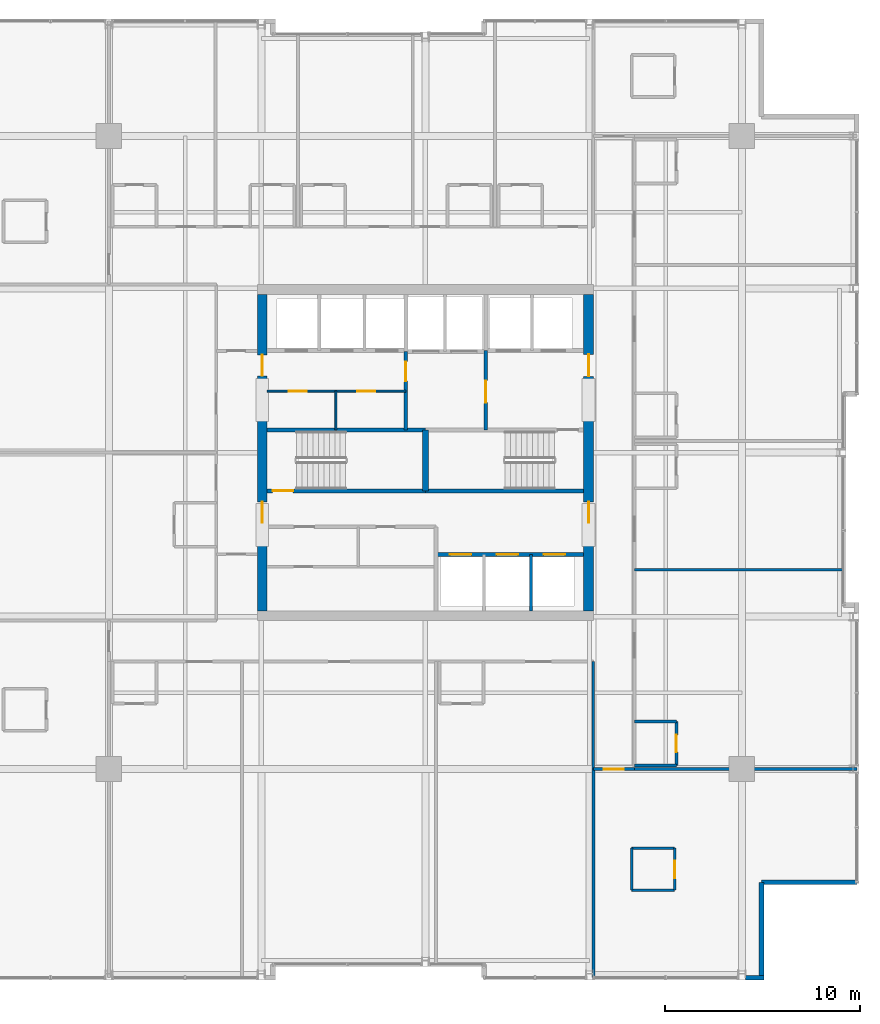
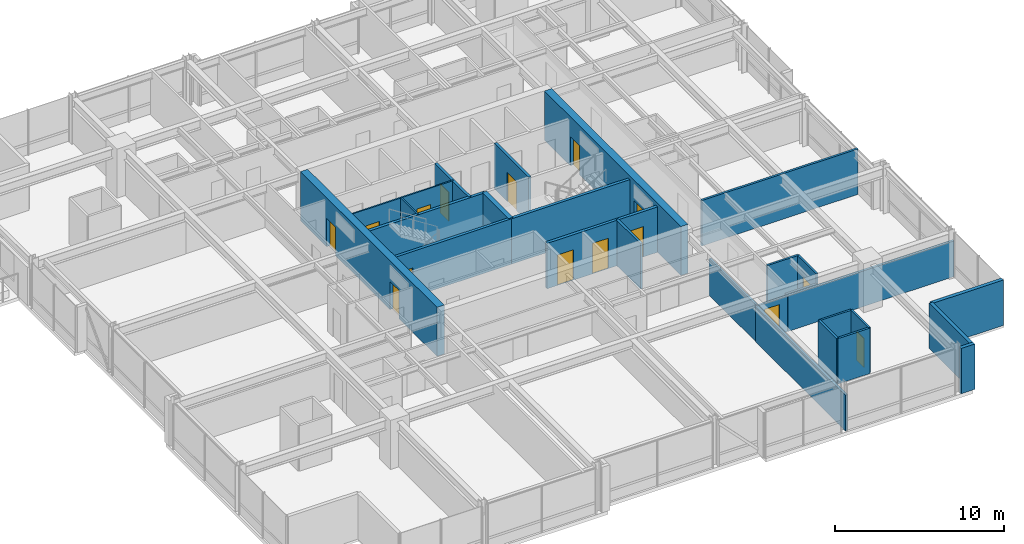
# One storey, part 26 of 32: 27 walls, 15 doors, 15 openings.
"""IFC4 building model written with IfcOpenShell, lengths in metres."""

import ifcopenshell
import ifcopenshell.guid

model = None  # the IFC model being written
_history = None  # IfcOwnerHistory: only IFC2X3 demands one
_inside = {}  # id of a spatial element -> (the spatial element, [elements in it])
_under = {}  # id of a project, library or spatial element -> (it, [spatial elements below it])
_declared = {}  # id of a project -> (the project, [libraries it declares])
_typed = {}  # id of a type object -> (the type object, [elements of that type])
_made_of = {}  # id of a material, layer set ... -> (it, [elements and type objects made of it])


def new_model(schema):
    """Start an empty IFC model of exactly this schema.

    Asked for "IFC4X3", IfcOpenShell would pick the latest addendum, in which some entities
    have other attributes; the version numbers below select the first issue.
    IFC2X3 requires an IfcOwnerHistory on every rooted entity: one is made here for all.
    """
    global model, _history
    if schema == "IFC4X3":
        model = ifcopenshell.file(schema_version=(4, 3, 0, 0))
    else:
        model = ifcopenshell.file(schema=schema)
    _inside.clear()
    _under.clear()
    _declared.clear()
    _typed.clear()
    _made_of.clear()
    _history = None
    if model.schema == "IFC2X3":
        org = make("IfcOrganization", Name="unknown")
        user = make(
            "IfcPersonAndOrganization",
            ThePerson=make("IfcPerson", FamilyName="unknown"),
            TheOrganization=org,
        )
        app = make(
            "IfcApplication",
            ApplicationDeveloper=org,
            Version="unknown",
            ApplicationFullName="unknown",
            ApplicationIdentifier="unknown",
        )
        _history = make(
            "IfcOwnerHistory",
            OwningUser=user,
            OwningApplication=app,
            ChangeAction="ADDED",
            CreationDate=0,
        )
    return model


def make(cls, **values):
    """One entity of the class cls with the attributes given. An attribute that is None is left unset."""
    return model.create_entity(
        cls, **{name: value for name, value in values.items() if value is not None}
    )


def rooted(cls, **values):
    """An entity with a GlobalId (a new one), such as an element, a storey or a relation."""
    return make(cls, GlobalId=ifcopenshell.guid.new(), OwnerHistory=_history, **values)


def si_unit(unit_type, name, prefix=None):
    """IfcSIUnit, for example si_unit("LENGTHUNIT", "METRE", prefix="MILLI")."""
    return make("IfcSIUnit", UnitType=unit_type, Prefix=prefix, Name=name)


def assignment(units):
    """IfcUnitAssignment: the units of a project."""
    return None if units is None else make("IfcUnitAssignment", Units=units)


def point(xyz):
    """IfcCartesianPoint."""
    return None if xyz is None else make("IfcCartesianPoint", Coordinates=xyz)


def direction(xyz):
    """IfcDirection."""
    return None if xyz is None else make("IfcDirection", DirectionRatios=xyz)


def frame(location, z_axis=None, x_axis=None):
    """IfcAxis2Placement3D, a coordinate frame: its origin and axes. An axis left out is left unset."""
    return make(
        "IfcAxis2Placement3D",
        Location=point(location),
        Axis=direction(z_axis),
        RefDirection=direction(x_axis),
    )


def frame_2d(location, x_axis=None):
    """IfcAxis2Placement2D, a coordinate frame in the plane: its origin and x axis."""
    return make(
        "IfcAxis2Placement2D", Location=point(location), RefDirection=direction(x_axis)
    )


def origin():
    """The frame at (0, 0, 0) with its axes left unset."""
    return frame((0.0, 0.0, 0.0))


def place(relative_to, where):
    """IfcLocalPlacement: puts the frame where relative to a parent placement (None: the world)."""
    return make(
        "IfcLocalPlacement", PlacementRelTo=relative_to, RelativePlacement=where
    )


def context(
    kind, dimensions, precision=None, world=None, true_north=None, identifier=None
):
    """IfcGeometricRepresentationContext, for example the 3D "Model" context."""
    return make(
        "IfcGeometricRepresentationContext",
        ContextIdentifier=identifier,
        ContextType=kind,
        CoordinateSpaceDimension=dimensions,
        Precision=precision,
        WorldCoordinateSystem=world,
        TrueNorth=true_north,
    )


def subcontext(parent, identifier, kind, view, scale=None):
    """IfcGeometricRepresentationSubContext, for example "Body" below "Model"."""
    return make(
        "IfcGeometricRepresentationSubContext",
        ContextIdentifier=identifier,
        ContextType=kind,
        ParentContext=parent,
        TargetScale=scale,
        TargetView=view,
    )


def project(units=None, contexts=None):
    """IfcProject with its units and contexts."""
    return rooted(
        "IfcProject",
        Name="project",
        RepresentationContexts=contexts,
        UnitsInContext=assignment(units),
    )


def spatial(cls, under=None, at=None, **own):
    """A site, building, storey or space (cls), placed at a placement, below another one or the project."""
    s = rooted(cls, ObjectPlacement=at, **own)
    if under is not None:
        _under.setdefault(under.id(), (under, []))[1].append(s)
    return s


def profile(cls, at=None, kind="AREA", **sizes):
    """A parametric profile (cls). Its sizes go by their IFC names, for example OverallWidth=200.0."""
    return make(cls, ProfileType=kind, Position=at, **sizes)


def rectangle(**sizes):
    """IfcRectangleProfileDef."""
    return profile("IfcRectangleProfileDef", **sizes)


def extrude(swept, where, along, depth):
    """IfcExtrudedAreaSolid: the profile swept, set in the frame where, extruded along a direction by depth."""
    return make(
        "IfcExtrudedAreaSolid",
        SweptArea=swept,
        Position=where,
        ExtrudedDirection=direction(along),
        Depth=depth,
    )


def shape(context_of_items, identifier, shape_type, items):
    """IfcShapeRepresentation: the items that make up one representation, for example the "Body"."""
    return make(
        "IfcShapeRepresentation",
        ContextOfItems=context_of_items,
        RepresentationIdentifier=identifier,
        RepresentationType=shape_type,
        Items=items,
    )


def material(Name=None, Category=None):
    """IfcMaterial."""
    return make("IfcMaterial", Name=Name, Category=Category)


def layer(
    of_material, thickness, ventilated=None, Name=None, Category=None, Priority=None
):
    """IfcMaterialLayer: one layer of a wall or slab, of a material (None: an air gap)."""
    return make(
        "IfcMaterialLayer",
        Material=of_material,
        LayerThickness=thickness,
        IsVentilated=ventilated,
        Name=Name,
        Category=Category,
        Priority=Priority,
    )


def layer_set(layers, Name=None):
    """IfcMaterialLayerSet."""
    return make("IfcMaterialLayerSet", MaterialLayers=layers, LayerSetName=Name)


def made_of(thing, what):
    """Note that an element or type object is made of a material, layer set ...; save() writes the relation."""
    if what is not None:
        _made_of.setdefault(what.id(), (what, []))[1].append(thing)
    return thing


def type_object(cls, material=None, **own):
    """A type object (cls), such as IfcWallType, which elements share."""
    return made_of(rooted(cls, **own), material)


def element(
    cls,
    number,
    at=None,
    inside=None,
    cuts=None,
    type_object=None,
    material=None,
    context=None,
    identifier="Body",
    shape_type=None,
    held_by="IfcProductDefinitionShape",
    body=None,
    shapes=None,
    **own,
):
    """One element of the class cls, such as IfcWall. Its Tag is "e" and its number.

    at: its placement. inside: the storey or other place that contains it. cuts: it is an
    opening in that element (IfcRelVoidsElement). A single representation is given by context,
    identifier, shape_type and body (its items); several are given by shapes. held_by: the class
    of the entity that holds the representations. save() writes the other relations.
    """
    e = rooted(cls, Tag="e%d" % number, ObjectPlacement=at, **own)
    if body is not None:
        shapes = [shape(context, identifier, shape_type, body)]
    if shapes is not None:
        e.Representation = make(held_by, Representations=shapes)
    if inside is not None:
        _inside.setdefault(inside.id(), (inside, []))[1].append(e)
    if cuts is not None:
        rooted(
            "IfcRelVoidsElement", RelatingBuildingElement=cuts, RelatedOpeningElement=e
        )
    if type_object is not None:
        _typed.setdefault(type_object.id(), (type_object, []))[1].append(e)
    return made_of(e, material)


def fill(opening, filler):
    """IfcRelFillsElement: the door or window that sits in an opening."""
    return rooted(
        "IfcRelFillsElement",
        RelatingOpeningElement=opening,
        RelatedBuildingElement=filler,
    )


def aggregate(whole, parts):
    """IfcRelAggregates: a whole, such as a stair, and the parts it consists of."""
    return rooted("IfcRelAggregates", RelatingObject=whole, RelatedObjects=parts)


def save(model, path):
    """Write the relations noted so far, then the file.

    IfcRelAggregates (storeys below a building ...), IfcRelContainedInSpatialStructure (elements
    in a storey), IfcRelDefinesByType, IfcRelAssociatesMaterial and IfcRelDeclares: one each for
    every whole, place, type object, material and project.
    """
    for whole, parts in _under.values():
        aggregate(whole, parts)
    for where, things in _inside.values():
        rooted(
            "IfcRelContainedInSpatialStructure",
            RelatedElements=things,
            RelatingStructure=where,
        )
    for kind, things in _typed.values():
        rooted("IfcRelDefinesByType", RelatedObjects=things, RelatingType=kind)
    for what, things in _made_of.values():
        rooted("IfcRelAssociatesMaterial", RelatedObjects=things, RelatingMaterial=what)
    for by, libraries in _declared.values():
        rooted("IfcRelDeclares", RelatingContext=by, RelatedDefinitions=libraries)
    model.write(path)


model = new_model("IFC4")

# Units and contexts
model_context = context("Model", 3, precision=1e-05, world=origin(), true_north=direction((0.0, 1.0)))
body_context = subcontext(model_context, "Body", "Model", "MODEL_VIEW")
ifc_project = project(units=[si_unit("LENGTHUNIT", "METRE"), si_unit("AREAUNIT", "SQUARE_METRE"), si_unit("VOLUMEUNIT", "CUBIC_METRE"), si_unit("PLANEANGLEUNIT", "RADIAN"), si_unit("MASSUNIT", "GRAM", prefix="KILO")], contexts=[model_context])

# Site, building, storey
site_placement = place(None, origin())
site = spatial("IfcSite", under=ifc_project, at=site_placement, CompositionType="ELEMENT")
building_placement = place(site_placement, origin())
building = spatial("IfcBuilding", under=site, at=building_placement, Name="Drelvath Grand Hotel", CompositionType="ELEMENT")
storey_placement = place(building_placement, frame((0.0, 0.0, 189.449951171875)))
storey = spatial("IfcBuildingStorey", under=building, at=storey_placement, Name="L49", CompositionType="ELEMENT", Elevation=189.449951171875)

# Wall, openings, doors
ifc_material_1 = material(Name="Gypsum Partition Board")
ifc_layer_1 = layer(ifc_material_1, 0.10009765625)
ifc_layer_set_1 = layer_set([ifc_layer_1], Name="Gypsum Partition Board")
wall_type_1 = type_object("IfcWallType", Name="Core Closet Partition 100", PredefinedType="PARTITIONING", material=ifc_layer_set_1)
wall_1_placement = place(storey_placement, frame((-8.10009765625, 30.139892578125, 0.0), z_axis=(0.0, 0.0, 1.0), x_axis=(1.0, 0.0, 0.0)))
wall_1 = element("IfcWall", 1, at=wall_1_placement, inside=storey, type_object=wall_type_1, Name="L49 High-Rise Lobby Closet Wall", PredefinedType="PARTITIONING", context=body_context, shape_type="SweptSolid", body=[
    extrude(rectangle(XDim=7.10009765625, YDim=0.10009765625, at=frame_2d((3.550048828125, 0.0))), origin(), (0.0, 0.0, 1.0), 3.2900390625),
])
opening_1_placement = place(wall_1_placement, frame((1.10009765625, 0.0, 0.0)))
opening_1 = element("IfcOpeningElement", 2, at=opening_1_placement, cuts=wall_1, Name="Opening D-T3G4-014", PredefinedType="OPENING", context=body_context, shape_type="SweptSolid", body=[
    extrude(rectangle(XDim=0.919921875, YDim=2.10009765625, at=frame_2d((0.4599609375, 1.050048828125))), frame((0.0, 0.06005859375, 0.0), z_axis=(0.0, -1.0, 0.0), x_axis=(1.0, 0.0, 0.0)), (0.0, 0.0, 1.0), 0.1201171875),
])
opening_2_placement = place(wall_1_placement, frame((4.60009765625, 0.0, 0.0)))
opening_2 = element("IfcOpeningElement", 3, at=opening_2_placement, cuts=wall_1, Name="Opening D-T3G4-015", PredefinedType="OPENING", context=body_context, shape_type="SweptSolid", body=[
    extrude(rectangle(XDim=0.919921875, YDim=2.10009765625, at=frame_2d((0.4599609375, 1.050048828125))), frame((0.0, 0.06005859375, 0.0), z_axis=(0.0, -1.0, 0.0), x_axis=(1.0, 0.0, 0.0)), (0.0, 0.0, 1.0), 0.1201171875),
])
ifc_material_2 = material(Name="Painted Steel S275", Category="steel")
door_type_1 = type_object("IfcDoorType", Name="Staff Utility Door 920x2100", OperationType="NOTDEFINED", PredefinedType="DOOR", material=ifc_material_2)
door_1_placement = place(opening_1_placement, origin())
door_1 = element("IfcDoor", 4, at=door_1_placement, inside=storey, type_object=door_type_1, Name="L49 Electrical Closet Door", OperationType="SINGLE_SWING_LEFT", OverallHeight=2.10009765625, OverallWidth=0.919921875, PredefinedType="DOOR", context=body_context, shape_type="SweptSolid", body=[
    extrude(rectangle(XDim=0.919921875, YDim=2.10009765625, at=frame_2d((0.4599609375, 1.050048828125))), frame((0.0, 0.02490234375, 0.0), z_axis=(0.0, -1.0, 0.0), x_axis=(1.0, 0.0, 0.0)), (0.0, 0.0, 1.0), 0.050048828125),
])
fill(opening_1, door_1)
door_2_placement = place(opening_2_placement, origin())
door_2 = element("IfcDoor", 5, at=door_2_placement, inside=storey, type_object=door_type_1, Name="L49 Telecom Room Door", OperationType="SINGLE_SWING_RIGHT", OverallHeight=2.10009765625, OverallWidth=0.919921875, PredefinedType="DOOR", context=body_context, shape_type="SweptSolid", body=[
    extrude(rectangle(XDim=0.919921875, YDim=2.10009765625, at=frame_2d((0.4599609375, 1.050048828125))), frame((0.0, 0.02490234375, 0.0), z_axis=(0.0, -1.0, 0.0), x_axis=(1.0, 0.0, 0.0)), (0.0, 0.0, 1.0), 0.050048828125),
])
fill(opening_2, door_2)

# Wall
wall_2_placement = place(storey_placement, frame((-4.580078125, 28.159912109375, 0.0), z_axis=(0.0, 0.0, 1.0), x_axis=(0.0, 1.0, 0.0)))
element("IfcWall", 6, at=wall_2_placement, inside=storey, type_object=wall_type_1, Name="L49 Core Closet Split 1", PredefinedType="PARTITIONING", context=body_context, shape_type="SweptSolid", body=[
    extrude(rectangle(XDim=1.97998046875, YDim=0.10009765625, at=frame_2d((0.989990234375, 0.0))), origin(), (0.0, 0.0, 1.0), 3.2900390625),
])

# Wall, openings, doors
ifc_material_3 = material(Name="Concrete C40/50", Category="concrete")
ifc_layer_2 = layer(ifc_material_3, 0.199951171875)
ifc_layer_set_2 = layer_set([ifc_layer_2], Name="Concrete C40/50")
wall_type_2 = type_object("IfcWallType", Name="Core Hoistway Fire Wall 200", PredefinedType="SOLIDWALL", material=ifc_layer_set_2)
wall_3_placement = place(storey_placement, frame((8.10009765625, 21.780029296875, 0.0), z_axis=(0.0, 0.0, 1.0), x_axis=(-1.0, 0.0, 0.0)))
wall_3 = element("IfcWall", 7, at=wall_3_placement, inside=storey, type_object=wall_type_2, Name="L49 Bank 2 Hoistway Wall", PredefinedType="SOLIDWALL", context=body_context, shape_type="SweptSolid", body=[
    extrude(rectangle(XDim=7.550048828125, YDim=0.199951171875, at=frame_2d((3.77490234375, 0.0))), origin(), (0.0, 0.0, 1.0), 3.2900390625),
])
opening_3_placement = place(wall_3_placement, frame((5.75, 0.0, 0.0)))
opening_3 = element("IfcOpeningElement", 8, at=opening_3_placement, cuts=wall_3, Name="Opening LD-PE-4", PredefinedType="OPENING", context=body_context, shape_type="SweptSolid", body=[
    extrude(rectangle(XDim=1.10009765625, YDim=2.199951171875, at=frame_2d((0.550048828125, 1.10009765625))), frame((0.0, 0.10986328125, 0.0), z_axis=(0.0, -1.0, 0.0), x_axis=(1.0, 0.0, 0.0)), (0.0, 0.0, 1.0), 0.219970703125),
])
opening_4_placement = place(wall_3_placement, frame((3.35009765625, 0.0, 0.0)))
opening_4 = element("IfcOpeningElement", 9, at=opening_4_placement, cuts=wall_3, Name="Opening LD-PE-5", PredefinedType="OPENING", context=body_context, shape_type="SweptSolid", body=[
    extrude(rectangle(XDim=1.10009765625, YDim=2.199951171875, at=frame_2d((0.550048828125, 1.10009765625))), frame((0.0, 0.10986328125, 0.0), z_axis=(0.0, -1.0, 0.0), x_axis=(1.0, 0.0, 0.0)), (0.0, 0.0, 1.0), 0.219970703125),
])
opening_5_placement = place(wall_3_placement, frame((0.949951171875, 0.0, 0.0)))
opening_5 = element("IfcOpeningElement", 10, at=opening_5_placement, cuts=wall_3, Name="Opening LD-PE-6", PredefinedType="OPENING", context=body_context, shape_type="SweptSolid", body=[
    extrude(rectangle(XDim=1.10009765625, YDim=2.199951171875, at=frame_2d((0.550048828125, 1.10009765625))), frame((0.0, 0.10986328125, 0.0), z_axis=(0.0, -1.0, 0.0), x_axis=(1.0, 0.0, 0.0)), (0.0, 0.0, 1.0), 0.219970703125),
])
ifc_material_4 = material(Name="Stainless Steel S355", Category="steel")
door_type_2 = type_object("IfcDoorType", Name="Passenger Lift Sliding Landing Door 1100x2200", OperationType="NOTDEFINED", PredefinedType="DOOR", material=ifc_material_4)
door_3_placement = place(opening_3_placement, origin())
door_3 = element("IfcDoor", 11, at=door_3_placement, inside=storey, type_object=door_type_2, Name="L49 Lift PE-4 Landing Door", OperationType="SLIDING_TO_LEFT", OverallHeight=2.199951171875, OverallWidth=1.10009765625, PredefinedType="DOOR", context=body_context, shape_type="SweptSolid", body=[
    extrude(rectangle(XDim=1.10009765625, YDim=2.199951171875, at=frame_2d((0.550048828125, 1.10009765625))), frame((0.0, 0.02490234375, 0.0), z_axis=(0.0, -1.0, 0.0), x_axis=(1.0, 0.0, 0.0)), (0.0, 0.0, 1.0), 0.050048828125),
])
fill(opening_3, door_3)
door_4_placement = place(opening_4_placement, origin())
door_4 = element("IfcDoor", 12, at=door_4_placement, inside=storey, type_object=door_type_2, Name="L49 Lift PE-5 Landing Door", OperationType="SLIDING_TO_LEFT", OverallHeight=2.199951171875, OverallWidth=1.10009765625, PredefinedType="DOOR", context=body_context, shape_type="SweptSolid", body=[
    extrude(rectangle(XDim=1.10009765625, YDim=2.199951171875, at=frame_2d((0.550048828125, 1.10009765625))), frame((0.0, 0.02490234375, 0.0), z_axis=(0.0, -1.0, 0.0), x_axis=(1.0, 0.0, 0.0)), (0.0, 0.0, 1.0), 0.050048828125),
])
fill(opening_4, door_4)
door_5_placement = place(opening_5_placement, origin())
door_5 = element("IfcDoor", 13, at=door_5_placement, inside=storey, type_object=door_type_2, Name="L49 Lift PE-6 Landing Door", OperationType="SLIDING_TO_LEFT", OverallHeight=2.199951171875, OverallWidth=1.10009765625, PredefinedType="DOOR", context=body_context, shape_type="SweptSolid", body=[
    extrude(rectangle(XDim=1.10009765625, YDim=2.199951171875, at=frame_2d((0.550048828125, 1.10009765625))), frame((0.0, 0.02490234375, 0.0), z_axis=(0.0, -1.0, 0.0), x_axis=(1.0, 0.0, 0.0)), (0.0, 0.0, 1.0), 0.050048828125),
])
fill(opening_5, door_5)

# Wall, opening, door
ifc_layer_3 = layer(ifc_material_3, 0.199951171875)
ifc_layer_set_3 = layer_set([ifc_layer_3], Name="Concrete C40/50")
wall_type_3 = type_object("IfcWallType", Name="Core Shaft Fire Wall 200", PredefinedType="SOLIDWALL", material=ifc_layer_set_3)
wall_4_placement = place(storey_placement, frame((-8.10009765625, 25.0400390625, 0.0), z_axis=(0.0, 0.0, 1.0), x_axis=(1.0, 0.0, 0.0)))
wall_4 = element("IfcWall", 14, at=wall_4_placement, inside=storey, type_object=wall_type_3, Name="L49 Stair ST-1 South Wall", PredefinedType="SOLIDWALL", context=body_context, shape_type="SweptSolid", body=[
    extrude(rectangle(XDim=8.10009765625, YDim=0.199951171875, at=frame_2d((4.050048828125, 0.0))), origin(), (0.0, 0.0, 1.0), 3.2900390625),
])
opening_6_placement = place(wall_4_placement, frame((0.280029296875, 0.0, 0.0)))
opening_6 = element("IfcOpeningElement", 15, at=opening_6_placement, cuts=wall_4, Name="Opening D-T3G4-001", PredefinedType="OPENING", context=body_context, shape_type="SweptSolid", body=[
    extrude(rectangle(XDim=1.050048828125, YDim=2.10009765625, at=frame_2d((0.52490234375, 1.050048828125))), frame((0.0, 0.10986328125, 0.0), z_axis=(0.0, -1.0, 0.0), x_axis=(1.0, 0.0, 0.0)), (0.0, 0.0, 1.0), 0.219970703125),
])
door_type_3 = type_object("IfcDoorType", Name="Tower Stairwell Fire Door 1050x2100", OperationType="NOTDEFINED", PredefinedType="DOOR", material=ifc_material_2)
door_6_placement = place(opening_6_placement, origin())
door_6 = element("IfcDoor", 16, at=door_6_placement, inside=storey, type_object=door_type_3, Name="L49 Exit Stair ST-1 Door", OperationType="SINGLE_SWING_LEFT", OverallHeight=2.10009765625, OverallWidth=1.050048828125, PredefinedType="DOOR", context=body_context, shape_type="SweptSolid", body=[
    extrude(rectangle(XDim=1.050048828125, YDim=2.10009765625, at=frame_2d((0.52490234375, 1.050048828125))), frame((0.0, 0.02490234375, 0.0), z_axis=(0.0, -1.0, 0.0), x_axis=(1.0, 0.0, 0.0)), (0.0, 0.0, 1.0), 0.050048828125),
])
fill(opening_6, door_6)

# Walls
for number, where, z_axis, x_axis, name in (
    (17, (-8.10009765625, 28.159912109375, 0.0), (0.0, 0.0, 1.0), (1.0, 0.0, 0.0), "L49 Stair ST-1 North Wall"),
    (18, (0.0, 25.0400390625, 0.0), (0.0, 0.0, 1.0), (1.0, 0.0, 0.0), "L49 Stair ST-2 South Wall"),
):
    element("IfcWall", number, at=place(storey_placement, frame(where, z_axis=z_axis, x_axis=x_axis)), inside=storey, type_object=wall_type_3, Name=name, PredefinedType="SOLIDWALL", context=body_context, shape_type="SweptSolid", body=[
        extrude(rectangle(XDim=8.10009765625, YDim=0.199951171875, at=frame_2d((4.050048828125, 0.0))), origin(), (0.0, 0.0, 1.0), 3.2900390625),
    ])
ifc_layer_4 = layer(ifc_material_3, 0.300048828125)
ifc_layer_set_4 = layer_set([ifc_layer_4], Name="Concrete C40/50")
wall_type_4 = type_object("IfcWallType", Name="Core Shaft Fire Wall 300", PredefinedType="SOLIDWALL", material=ifc_layer_set_4)
wall_5_placement = place(storey_placement, frame((0.0, 25.0400390625, 0.0), z_axis=(0.0, 0.0, 1.0), x_axis=(0.0, 1.0, 0.0)))
element("IfcWall", 19, at=wall_5_placement, inside=storey, type_object=wall_type_4, Name="L49 Core Stair Divider Wall", PredefinedType="SOLIDWALL", context=body_context, shape_type="SweptSolid", body=[
    extrude(rectangle(XDim=3.119873046875, YDim=0.300048828125, at=frame_2d((1.56005859375, 0.0))), origin(), (0.0, 0.0, 1.0), 3.2900390625),
])
ifc_material_5 = material(Name="Gypsum Fireboard Partition")
ifc_layer_5 = layer(ifc_material_5, 0.1650390625)
ifc_layer_set_5 = layer_set([ifc_layer_5], Name="Gypsum Fireboard Partition")
wall_type_5 = type_object("IfcWallType", Name="Core Shaft Partition 165", PredefinedType="PARTITIONING", material=ifc_layer_set_5)
wall_6_placement = place(storey_placement, frame((5.39990234375, 18.89990234375, 0.0), z_axis=(0.0, 0.0, 1.0), x_axis=(0.0, 1.0, 0.0)))
element("IfcWall", 20, at=wall_6_placement, inside=storey, type_object=wall_type_5, Name="L49 Lift PE-5/6 Divider", PredefinedType="PARTITIONING", context=body_context, shape_type="SweptSolid", body=[
    extrude(rectangle(XDim=2.880126953125, YDim=0.1650390625, at=frame_2d((1.43994140625, 0.0))), origin(), (0.0, 0.0, 1.0), 3.2900390625),
])
ifc_layer_6 = layer(ifc_material_5, 0.135009765625)
ifc_layer_set_6 = layer_set([ifc_layer_6], Name="Gypsum Fireboard Partition")
wall_type_6 = type_object("IfcWallType", Name="Corridor Fire Barrier Wall 135", PredefinedType="PARTITIONING", material=ifc_layer_set_6)
wall_7_placement = place(storey_placement, frame((8.60009765625, 10.800048828125, 0.0), z_axis=(0.0, 0.0, 1.0), x_axis=(0.0, 1.0, 0.0)))
element("IfcWall", 21, at=wall_7_placement, inside=storey, type_object=wall_type_6, Name="L49 East Spine South Inner Wall", PredefinedType="PARTITIONING", context=body_context, shape_type="SweptSolid", body=[
    extrude(rectangle(XDim=5.5, YDim=0.135009765625, at=frame_2d((2.75, 0.0))), origin(), (0.0, 0.0, 1.0), 2.66748046875),
])

# Wall, opening, door
wall_8_placement = place(storey_placement, frame((8.60009765625, 10.800048828125, 0.0), z_axis=(0.0, 0.0, 1.0), x_axis=(1.0, 0.0, 0.0)))
wall_8 = element("IfcWall", 22, at=wall_8_placement, inside=storey, type_object=wall_type_6, Name="L49 East Spine South End", PredefinedType="PARTITIONING", context=body_context, shape_type="SweptSolid", body=[
    extrude(rectangle(XDim=2.099853515625, YDim=0.135009765625, at=frame_2d((1.0498046875, 0.0))), origin(), (0.0, 0.0, 1.0), 2.57958984375),
])
opening_7_placement = place(wall_8_placement, frame((0.52001953125, 0.0, 0.0)))
opening_7 = element("IfcOpeningElement", 23, at=opening_7_placement, cuts=wall_8, Name="Opening D-T3G4-031", PredefinedType="OPENING", context=body_context, shape_type="SweptSolid", body=[
    extrude(rectangle(XDim=1.02001953125, YDim=2.14990234375, at=frame_2d((0.510009765625, 1.074951171875))), frame((0.0, 0.077392578125, 0.0), z_axis=(0.0, -1.0, 0.0), x_axis=(1.0, 0.0, 0.0)), (0.0, 0.0, 1.0), 0.155029296875),
])
ifc_material_6 = material(Name="Hardwood Walnut Timber", Category="wood")
door_type_4 = type_object("IfcDoorType", Name="Amenity Meeting Fire Door 1020x2150", OperationType="NOTDEFINED", PredefinedType="DOOR", material=ifc_material_6)
door_7_placement = place(opening_7_placement, origin())
door_7 = element("IfcDoor", 24, at=door_7_placement, inside=storey, type_object=door_type_4, Name="L49 Executive Suite Entry Door", OperationType="SINGLE_SWING_LEFT", OverallHeight=2.14990234375, OverallWidth=1.02001953125, PredefinedType="DOOR", context=body_context, shape_type="SweptSolid", body=[
    extrude(rectangle(XDim=1.02001953125, YDim=2.14990234375, at=frame_2d((0.510009765625, 1.074951171875))), frame((0.0, 0.02490234375, 0.0), z_axis=(0.0, -1.0, 0.0), x_axis=(1.0, 0.0, 0.0)), (0.0, 0.0, 1.0), 0.050048828125),
])
fill(opening_7, door_7)

# Walls
ifc_material_7 = material(Name="Moisture-Resistant Gypsum Board")
ifc_layer_7 = layer(ifc_material_7, 0.139892578125)
ifc_layer_set_7 = layer_set([ifc_layer_7], Name="Moisture-Resistant Gypsum Board")
wall_type_7 = type_object("IfcWallType", Name="En-Suite Plumbing Wall 140", PredefinedType="PLUMBINGWALL", material=ifc_layer_set_7)
for number, where, z_axis, x_axis, name in (
    (25, (10.56005859375, 4.60009765625, 0.0), (0.0, 0.0, 1.0), (1.0, 0.0, 0.0), "L49 Corner En-Suite South"),
    (26, (10.56005859375, 6.75, 0.0), (0.0, 0.0, 1.0), (1.0, 0.0, 0.0), "L49 Corner En-Suite North"),
):
    element("IfcWall", number, at=place(storey_placement, frame(where, z_axis=z_axis, x_axis=x_axis)), inside=storey, type_object=wall_type_7, Name=name, PredefinedType="PLUMBINGWALL", context=body_context, shape_type="SweptSolid", body=[
        extrude(rectangle(XDim=2.199951171875, YDim=0.139892578125, at=frame_2d((1.10009765625, 0.0))), origin(), (0.0, 0.0, 1.0), 3.2900390625),
    ])
wall_9_placement = place(storey_placement, frame((10.56005859375, 4.60009765625, 0.0), z_axis=(0.0, 0.0, 1.0), x_axis=(0.0, 1.0, 0.0)))
element("IfcWall", 27, at=wall_9_placement, inside=storey, type_object=wall_type_7, Name="L49 Corner En-Suite West", PredefinedType="PLUMBINGWALL", context=body_context, shape_type="SweptSolid", body=[
    extrude(rectangle(XDim=2.14990234375, YDim=0.139892578125, at=frame_2d((1.074951171875, 0.0))), origin(), (0.0, 0.0, 1.0), 3.2900390625),
])

# Wall, opening, door
wall_10_placement = place(storey_placement, frame((12.760009765625, 4.60009765625, 0.0), z_axis=(0.0, 0.0, 1.0), x_axis=(0.0, 1.0, 0.0)))
wall_10 = element("IfcWall", 28, at=wall_10_placement, inside=storey, type_object=wall_type_7, Name="L49 Corner En-Suite East", PredefinedType="PLUMBINGWALL", context=body_context, shape_type="SweptSolid", body=[
    extrude(rectangle(XDim=2.14990234375, YDim=0.139892578125, at=frame_2d((1.074951171875, 0.0))), origin(), (0.0, 0.0, 1.0), 3.2900390625),
])
opening_8_placement = place(wall_10_placement, frame((0.6201171875, 0.0, 0.0)))
opening_8 = element("IfcOpeningElement", 29, at=opening_8_placement, cuts=wall_10, Name="Opening D-T3G4-030", PredefinedType="OPENING", context=body_context, shape_type="SweptSolid", body=[
    extrude(rectangle(XDim=0.8798828125, YDim=2.10009765625, at=frame_2d((0.43994140625, 1.050048828125))), frame((0.0, 0.079833984375, 0.0), z_axis=(0.0, -1.0, 0.0), x_axis=(1.0, 0.0, 0.0)), (0.0, 0.0, 1.0), 0.159912109375),
])
door_type_5 = type_object("IfcDoorType", Name="En-Suite Bathroom Door 880x2100", OperationType="NOTDEFINED", PredefinedType="DOOR", material=ifc_material_6)
door_8_placement = place(opening_8_placement, origin())
door_8 = element("IfcDoor", 30, at=door_8_placement, inside=storey, type_object=door_type_5, Name="L49 Corner En-Suite Door", OperationType="SINGLE_SWING_RIGHT", OverallHeight=2.10009765625, OverallWidth=0.8798828125, PredefinedType="DOOR", context=body_context, shape_type="SweptSolid", body=[
    extrude(rectangle(XDim=0.8798828125, YDim=2.10009765625, at=frame_2d((0.43994140625, 1.050048828125))), frame((0.0, 0.02490234375, 0.0), z_axis=(0.0, -1.0, 0.0), x_axis=(1.0, 0.0, 0.0)), (0.0, 0.0, 1.0), 0.050048828125),
])
fill(opening_8, door_8)

# Walls
wall_11_placement = place(storey_placement, frame((10.699951171875, 10.97998046875, 0.0), z_axis=(0.0, 0.0, 1.0), x_axis=(1.0, 0.0, 0.0)))
element("IfcWall", 31, at=wall_11_placement, inside=storey, type_object=wall_type_7, Name="L49 En-Suite Left Wall", PredefinedType="PLUMBINGWALL", context=body_context, shape_type="SweptSolid", body=[
    extrude(rectangle(XDim=2.150146484375, YDim=0.139892578125, at=frame_2d((1.0751953125, 0.0))), origin(), (0.0, 0.0, 1.0), 2.57958984375),
])
wall_12_placement = place(storey_placement, frame((10.699951171875, 13.22998046875, 0.0), z_axis=(0.0, 0.0, 1.0), x_axis=(1.0, 0.0, 0.0)))
element("IfcWall", 32, at=wall_12_placement, inside=storey, type_object=wall_type_7, Name="L49 En-Suite Right Wall", PredefinedType="PLUMBINGWALL", context=body_context, shape_type="SweptSolid", body=[
    extrude(rectangle(XDim=2.150146484375, YDim=0.139892578125, at=frame_2d((1.0751953125, 0.0))), origin(), (0.0, 0.0, 1.0), 3.2900390625),
])

# Wall, opening, door
wall_13_placement = place(storey_placement, frame((12.85009765625, 10.97998046875, 0.0), z_axis=(0.0, 0.0, 1.0), x_axis=(0.0, 1.0, 0.0)))
wall_13 = element("IfcWall", 33, at=wall_13_placement, inside=storey, type_object=wall_type_7, Name="L49 En-Suite Front Wall", PredefinedType="PLUMBINGWALL", context=body_context, shape_type="SweptSolid", body=[
    extrude(rectangle(XDim=2.25, YDim=0.139892578125, at=frame_2d((1.125, 0.0))), origin(), (0.0, 0.0, 1.0), 3.2900390625),
])
opening_9_placement = place(wall_13_placement, frame((0.68505859375, 0.0, 0.0)))
opening_9 = element("IfcOpeningElement", 34, at=opening_9_placement, cuts=wall_13, Name="Opening D-T3G4-049", PredefinedType="OPENING", context=body_context, shape_type="SweptSolid", body=[
    extrude(rectangle(XDim=0.8798828125, YDim=2.10009765625, at=frame_2d((0.43994140625, 1.050048828125))), frame((0.0, 0.079833984375, 0.0), z_axis=(0.0, -1.0, 0.0), x_axis=(1.0, 0.0, 0.0)), (0.0, 0.0, 1.0), 0.159912109375),
])
door_9_placement = place(opening_9_placement, origin())
door_9 = element("IfcDoor", 35, at=door_9_placement, inside=storey, type_object=door_type_5, Name="L49 En-Suite Bathroom Door", OperationType="SINGLE_SWING_LEFT", OverallHeight=2.10009765625, OverallWidth=0.8798828125, PredefinedType="DOOR", context=body_context, shape_type="SweptSolid", body=[
    extrude(rectangle(XDim=0.8798828125, YDim=2.10009765625, at=frame_2d((0.43994140625, 1.050048828125))), frame((0.0, 0.02490234375, 0.0), z_axis=(0.0, -1.0, 0.0), x_axis=(1.0, 0.0, 0.0)), (0.0, 0.0, 1.0), 0.050048828125),
])
fill(opening_9, door_9)

ifc_layer_8 = layer(ifc_material_5, 0.179931640625)
ifc_layer_set_8 = layer_set([ifc_layer_8], Name="Gypsum Fireboard Partition")
wall_type_8 = type_object("IfcWallType", Name="FSAE Smoke Lobby Fire Wall 180", PredefinedType="SOLIDWALL", material=ifc_layer_set_8)
wall_14_placement = place(storey_placement, frame((3.10009765625, 28.159912109375, 0.0), z_axis=(0.0, 0.0, 1.0), x_axis=(0.0, 1.0, 0.0)))
wall_14 = element("IfcWall", 36, at=wall_14_placement, inside=storey, type_object=wall_type_8, Name="L49 FSAE Smoke Lobby West Wall", PredefinedType="SOLIDWALL", context=body_context, shape_type="SweptSolid", body=[
    extrude(rectangle(XDim=4.06005859375, YDim=0.179931640625, at=frame_2d((2.030029296875, 0.0))), origin(), (0.0, 0.0, 1.0), 3.2900390625),
])
opening_10_placement = place(wall_14_placement, frame((1.39990234375, 0.0, 0.0)))
opening_10 = element("IfcOpeningElement", 37, at=opening_10_placement, cuts=wall_14, Name="Opening D-T3G4-005", PredefinedType="OPENING", context=body_context, shape_type="SweptSolid", body=[
    extrude(rectangle(XDim=1.1201171875, YDim=2.10009765625, at=frame_2d((0.56005859375, 1.050048828125))), frame((0.0, 0.099853515625, 0.0), z_axis=(0.0, -1.0, 0.0), x_axis=(1.0, 0.0, 0.0)), (0.0, 0.0, 1.0), 0.199951171875),
])
door_type_6 = type_object("IfcDoorType", Name="FSAE Smoke Lobby Fire Door 1120x2100", OperationType="NOTDEFINED", PredefinedType="DOOR", material=ifc_material_2)
door_10_placement = place(opening_10_placement, origin())
door_10 = element("IfcDoor", 38, at=door_10_placement, inside=storey, type_object=door_type_6, Name="L49 FSAE Lobby Service Vestibule Door", OperationType="SINGLE_SWING_RIGHT", OverallHeight=2.10009765625, OverallWidth=1.1201171875, PredefinedType="DOOR", context=body_context, shape_type="SweptSolid", body=[
    extrude(rectangle(XDim=1.1201171875, YDim=2.10009765625, at=frame_2d((0.56005859375, 1.050048828125))), frame((0.0, 0.02490234375, 0.0), z_axis=(0.0, -1.0, 0.0), x_axis=(1.0, 0.0, 0.0)), (0.0, 0.0, 1.0), 0.050048828125),
])
fill(opening_10, door_10)

wall_15_placement = place(storey_placement, frame((-1.0, 28.159912109375, 0.0), z_axis=(0.0, 0.0, 1.0), x_axis=(0.0, 1.0, 0.0)))
wall_15 = element("IfcWall", 39, at=wall_15_placement, inside=storey, type_object=wall_type_8, Name="L49 Service Vestibule West Wall", PredefinedType="SOLIDWALL", context=body_context, shape_type="SweptSolid", body=[
    extrude(rectangle(XDim=4.02001953125, YDim=0.179931640625, at=frame_2d((2.010009765625, 0.0))), origin(), (0.0, 0.0, 1.0), 3.2900390625),
])
opening_11_placement = place(wall_15_placement, frame((2.489990234375, 0.0, 0.0)))
opening_11 = element("IfcOpeningElement", 40, at=opening_11_placement, cuts=wall_15, Name="Opening D-T3G4-009", PredefinedType="OPENING", context=body_context, shape_type="SweptSolid", body=[
    extrude(rectangle(XDim=1.0, YDim=2.10009765625, at=frame_2d((0.5, 1.050048828125))), frame((0.0, 0.099853515625, 0.0), z_axis=(0.0, -1.0, 0.0), x_axis=(1.0, 0.0, 0.0)), (0.0, 0.0, 1.0), 0.199951171875),
])
door_type_7 = type_object("IfcDoorType", Name="Core Service Fire Door 1000x2100", OperationType="NOTDEFINED", PredefinedType="DOOR", material=ifc_material_2)
door_11_placement = place(opening_11_placement, origin())
door_11 = element("IfcDoor", 41, at=door_11_placement, inside=storey, type_object=door_type_7, Name="L49 Service Vestibule West Door", OperationType="SINGLE_SWING_LEFT", OverallHeight=2.10009765625, OverallWidth=1.0, PredefinedType="DOOR", context=body_context, shape_type="SweptSolid", body=[
    extrude(rectangle(XDim=1.0, YDim=2.10009765625, at=frame_2d((0.5, 1.050048828125))), frame((0.0, 0.02490234375, 0.0), z_axis=(0.0, -1.0, 0.0), x_axis=(1.0, 0.0, 0.0)), (0.0, 0.0, 1.0), 0.050048828125),
])
fill(opening_11, door_11)

# Walls
ifc_material_8 = material(Name="Gypsum Acoustic Partition")
ifc_layer_9 = layer(ifc_material_8, 0.14990234375)
ifc_layer_set_9 = layer_set([ifc_layer_9], Name="Gypsum Acoustic Partition")
wall_type_9 = type_object("IfcWallType", Name="Guestroom Demising Wall 150", PredefinedType="PARTITIONING", material=ifc_layer_set_9)
wall_16_placement = place(storey_placement, frame((10.699951171875, 21.0, 0.0), z_axis=(0.0, 0.0, 1.0), x_axis=(1.0, 0.0, 0.0)))
element("IfcWall", 42, at=wall_16_placement, inside=storey, type_object=wall_type_9, Name="L49 East Demising 1", PredefinedType="PARTITIONING", context=body_context, shape_type="SweptSolid", body=[
    extrude(rectangle(XDim=10.699951171875, YDim=0.14990234375, at=frame_2d((5.35009765625, 0.0))), origin(), (0.0, 0.0, 1.0), 3.2900390625),
])
ifc_layer_10 = layer(ifc_material_8, 0.1650390625)
ifc_layer_set_10 = layer_set([ifc_layer_10], Name="Gypsum Acoustic Partition")
wall_type_10 = type_object("IfcWallType", Name="Suite Demising Wall 165", PredefinedType="PARTITIONING", material=ifc_layer_set_10)
wall_17_placement = place(storey_placement, frame((8.60009765625, 0.1201171875, 0.0), z_axis=(0.0, 0.0, 1.0), x_axis=(0.0, 1.0, 0.0)))
element("IfcWall", 43, at=wall_17_placement, inside=storey, type_object=wall_type_10, Name="L49 SE Suite West Wall", PredefinedType="PARTITIONING", context=body_context, shape_type="SweptSolid", body=[
    extrude(rectangle(XDim=10.679931640625, YDim=0.1650390625, at=frame_2d((5.33984375, 0.0))), origin(), (0.0, 0.0, 1.0), 2.57958984375),
])
wall_18_placement = place(storey_placement, frame((10.699951171875, 10.800048828125, 0.0), z_axis=(0.0, 0.0, 1.0), x_axis=(1.0, 0.0, 0.0)))
element("IfcWall", 44, at=wall_18_placement, inside=storey, type_object=wall_type_10, Name="L49 SE Suite North Wall", PredefinedType="PARTITIONING", context=body_context, shape_type="SweptSolid", body=[
    extrude(rectangle(XDim=11.380126953125, YDim=0.1650390625, at=frame_2d((5.68994140625, 0.0))), origin(), (0.0, 0.0, 1.0), 2.57958984375),
])
ifc_material_9 = material(Name="Pale-Metal Insulated Aluminium Spandrel Assembly", Category="aluminium")
ifc_layer_11 = layer(ifc_material_9, 0.239990234375)
ifc_layer_set_11 = layer_set([ifc_layer_11], Name="Pale-Metal Insulated Aluminium Spandrel Assembly")
wall_type_11 = type_object("IfcWallType", Name="Tower Insulated Metal Spandrel Closure Wall 240", PredefinedType="STANDARD", material=ifc_layer_set_11)
wall_19_placement = place(storey_placement, frame((17.320068359375, 0.1201171875, 0.0), z_axis=(0.0, 0.0, 1.0), x_axis=(-1.0, 0.0, 0.0)))
element("IfcWall", 45, at=wall_19_placement, inside=storey, type_object=wall_type_11, Name="L49 Corner Pier Spandrel Wall SE3", PredefinedType="STANDARD", context=body_context, shape_type="SweptSolid", body=[
    extrude(rectangle(XDim=0.928466796875, YDim=0.239990234375, at=frame_2d((0.46435546875, 0.0))), origin(), (0.0, 0.0, 1.0), 3.2900390625),
])
wall_20_placement = place(storey_placement, frame((22.080078125, 5.0, 0.0), z_axis=(0.0, 0.0, 1.0), x_axis=(-1.0, 0.0, 0.0)))
element("IfcWall", 46, at=wall_20_placement, inside=storey, type_object=wall_type_11, Name="L49 Notched Corner Return Spandrel Wall CSE1", PredefinedType="STANDARD", context=body_context, shape_type="SweptSolid", body=[
    extrude(rectangle(XDim=4.880126953125, YDim=0.239990234375, at=frame_2d((2.43994140625, 0.0))), origin(), (0.0, 0.0, 1.0), 3.2900390625),
])
wall_21_placement = place(storey_placement, frame((17.199951171875, 5.0, 0.0), z_axis=(0.0, 0.0, 1.0), x_axis=(0.0, -1.0, 0.0)))
element("IfcWall", 47, at=wall_21_placement, inside=storey, type_object=wall_type_11, Name="L49 Notched Corner Return Spandrel Wall CSE2", PredefinedType="STANDARD", context=body_context, shape_type="SweptSolid", body=[
    extrude(rectangle(XDim=4.760009765625, YDim=0.239990234375, at=frame_2d((2.3798828125, 0.0))), origin(), (0.0, 0.0, 1.0), 3.2900390625),
])

# Wall, openings, doors
ifc_material_10 = material(Name="Concrete f'c 55 MPa", Category="concrete")
ifc_layer_12 = layer(ifc_material_10, 0.5)
ifc_layer_set_12 = layer_set([ifc_layer_12], Name="Concrete f'c 55 MPa")
wall_type_12 = type_object("IfcWallType", Name="Upper Core RC Shear Wall 500", PredefinedType="SHEAR", material=ifc_layer_set_12)
wall_22_placement = place(storey_placement, frame((8.35009765625, 35.10009765625, 0.0), z_axis=(0.0, 0.0, 1.0), x_axis=(0.0, -1.0, 0.0)))
wall_22 = element("IfcWall", 48, at=wall_22_placement, inside=storey, type_object=wall_type_12, Name="L49 Central Core Shear Wall E", PredefinedType="SHEAR", context=body_context, shape_type="SweptSolid", body=[
    extrude(rectangle(XDim=16.2001953125, YDim=0.5, at=frame_2d((8.10009765625, 0.0))), origin(), (0.0, 0.0, 1.0), 3.550048828125),
])
opening_12_placement = place(wall_22_placement, frame((3.080078125, 0.0, 0.0)))
opening_12 = element("IfcOpeningElement", 49, at=opening_12_placement, cuts=wall_22, Name="Opening D-T3G4-006", PredefinedType="OPENING", context=body_context, shape_type="SweptSolid", body=[
    extrude(rectangle(XDim=1.1201171875, YDim=2.10009765625, at=frame_2d((0.56005859375, 1.050048828125))), frame((0.0, 0.260009765625, 0.0), z_axis=(0.0, -1.0, 0.0), x_axis=(1.0, 0.0, 0.0)), (0.0, 0.0, 1.0), 0.52001953125),
])
opening_13_placement = place(wall_22_placement, frame((10.6201171875, 0.0, 0.0)))
opening_13 = element("IfcOpeningElement", 50, at=opening_13_placement, cuts=wall_22, Name="Opening D-T3G4-020", PredefinedType="OPENING", context=body_context, shape_type="SweptSolid", body=[
    extrude(rectangle(XDim=1.080078125, YDim=2.0400390625, at=frame_2d((0.5400390625, 1.02001953125))), frame((0.0, 0.260009765625, 0.0), z_axis=(0.0, -1.0, 0.0), x_axis=(1.0, 0.0, 0.0)), (0.0, 0.0, 1.0), 0.52001953125),
])
door_type_8 = type_object("IfcDoorType", Name="Core Corridor Fire Door 1080x2100", OperationType="NOTDEFINED", PredefinedType="DOOR", material=ifc_material_2)
door_12_placement = place(opening_13_placement, origin())
door_12 = element("IfcDoor", 51, at=door_12_placement, inside=storey, type_object=door_type_8, Name="L49 Mid-Rise Lobby East Door", OperationType="SINGLE_SWING_RIGHT", OverallHeight=2.0400390625, OverallWidth=1.080078125, PredefinedType="DOOR", context=body_context, shape_type="SweptSolid", body=[
    extrude(rectangle(XDim=1.080078125, YDim=2.0400390625, at=frame_2d((0.5400390625, 1.02001953125))), frame((0.0, 0.02490234375, 0.0), z_axis=(0.0, -1.0, 0.0), x_axis=(1.0, 0.0, 0.0)), (0.0, 0.0, 1.0), 0.050048828125),
])
fill(opening_13, door_12)
door_13_placement = place(opening_12_placement, origin())
door_13 = element("IfcDoor", 52, at=door_13_placement, inside=storey, type_object=door_type_6, Name="L49 FSAE Lobby East Corridor Door", OperationType="SINGLE_SWING_LEFT", OverallHeight=2.10009765625, OverallWidth=1.1201171875, PredefinedType="DOOR", context=body_context, shape_type="SweptSolid", body=[
    extrude(rectangle(XDim=1.1201171875, YDim=2.10009765625, at=frame_2d((0.56005859375, 1.050048828125))), frame((0.0, 0.02490234375, 0.0), z_axis=(0.0, -1.0, 0.0), x_axis=(1.0, 0.0, 0.0)), (0.0, 0.0, 1.0), 0.050048828125),
])
fill(opening_12, door_13)

wall_23_placement = place(storey_placement, frame((-8.35009765625, 18.89990234375, 0.0), z_axis=(0.0, 0.0, 1.0), x_axis=(0.0, 1.0, 0.0)))
wall_23 = element("IfcWall", 53, at=wall_23_placement, inside=storey, type_object=wall_type_12, Name="L49 Central Core Shear Wall W", PredefinedType="SHEAR", context=body_context, shape_type="SweptSolid", body=[
    extrude(rectangle(XDim=16.2001953125, YDim=0.5, at=frame_2d((8.10009765625, 0.0))), origin(), (0.0, 0.0, 1.0), 3.550048828125),
])
opening_14_placement = place(wall_23_placement, frame((12.02001953125, 0.0, 0.0)))
opening_14 = element("IfcOpeningElement", 54, at=opening_14_placement, cuts=wall_23, Name="Opening D-T3G4-013", PredefinedType="OPENING", context=body_context, shape_type="SweptSolid", body=[
    extrude(rectangle(XDim=1.080078125, YDim=2.0400390625, at=frame_2d((0.5400390625, 1.02001953125))), frame((0.0, 0.260009765625, 0.0), z_axis=(0.0, -1.0, 0.0), x_axis=(1.0, 0.0, 0.0)), (0.0, 0.0, 1.0), 0.52001953125),
])
opening_15_placement = place(wall_23_placement, frame((4.5, 0.0, 0.0)))
opening_15 = element("IfcOpeningElement", 55, at=opening_15_placement, cuts=wall_23, Name="Opening D-T3G4-019", PredefinedType="OPENING", context=body_context, shape_type="SweptSolid", body=[
    extrude(rectangle(XDim=1.080078125, YDim=2.0400390625, at=frame_2d((0.5400390625, 1.02001953125))), frame((0.0, 0.260009765625, 0.0), z_axis=(0.0, -1.0, 0.0), x_axis=(1.0, 0.0, 0.0)), (0.0, 0.0, 1.0), 0.52001953125),
])
door_14_placement = place(opening_14_placement, origin())
door_14 = element("IfcDoor", 56, at=door_14_placement, inside=storey, type_object=door_type_8, Name="L49 High-Rise Lift Lobby West Door", OperationType="SINGLE_SWING_RIGHT", OverallHeight=2.0400390625, OverallWidth=1.080078125, PredefinedType="DOOR", context=body_context, shape_type="SweptSolid", body=[
    extrude(rectangle(XDim=1.080078125, YDim=2.0400390625, at=frame_2d((0.5400390625, 1.02001953125))), frame((0.0, 0.02490234375, 0.0), z_axis=(0.0, -1.0, 0.0), x_axis=(1.0, 0.0, 0.0)), (0.0, 0.0, 1.0), 0.050048828125),
])
fill(opening_14, door_14)
door_15_placement = place(opening_15_placement, origin())
door_15 = element("IfcDoor", 57, at=door_15_placement, inside=storey, type_object=door_type_8, Name="L49 Mid-Rise Lobby West Door", OperationType="SINGLE_SWING_LEFT", OverallHeight=2.0400390625, OverallWidth=1.080078125, PredefinedType="DOOR", context=body_context, shape_type="SweptSolid", body=[
    extrude(rectangle(XDim=1.080078125, YDim=2.0400390625, at=frame_2d((0.5400390625, 1.02001953125))), frame((0.0, 0.02490234375, 0.0), z_axis=(0.0, -1.0, 0.0), x_axis=(1.0, 0.0, 0.0)), (0.0, 0.0, 1.0), 0.050048828125),
])
fill(opening_15, door_15)

save(model, "model.ifc")
